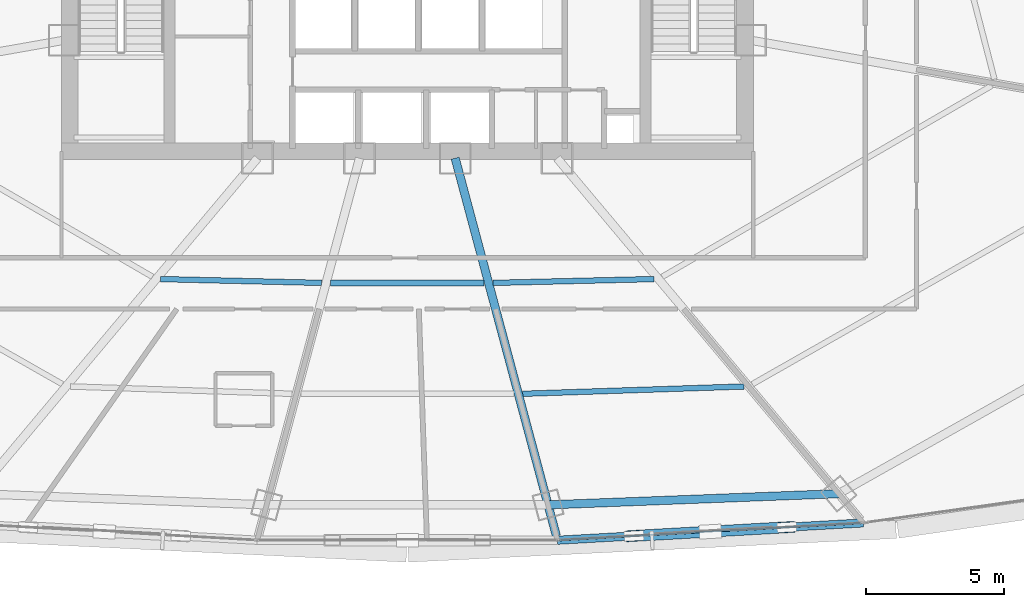
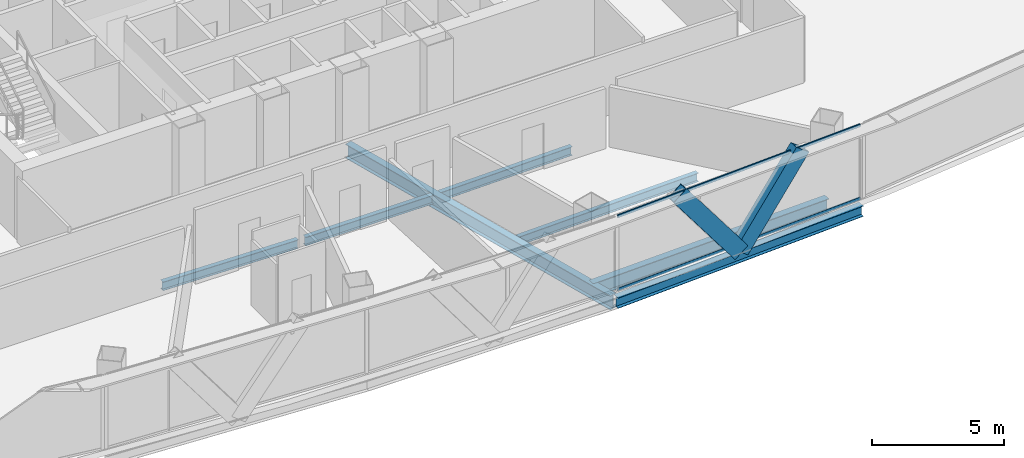
# One storey, part 13 of 42: 7 beams, 4 members, 1 element without a shape of its own.
"""IFC4 building model written with IfcOpenShell, lengths in metres."""

from ifc_helpers import new_model, si_unit, direction, frame, origin, origin_2d, place, context, subcontext, project, spatial, hollow_rectangle, i_section, extrude, source, transform, mapped, material, layer, layer_set, material_profile, profile_set, type_object, element, aggregate, save


model = new_model("IFC4")

# Units and contexts
model_context = context("Model", 3, precision=1e-05, world=origin(), true_north=direction((0.0, 1.0)))
body_context = subcontext(model_context, "Body", "Model", "MODEL_VIEW")
ifc_project = project(units=[si_unit("LENGTHUNIT", "METRE"), si_unit("AREAUNIT", "SQUARE_METRE"), si_unit("VOLUMEUNIT", "CUBIC_METRE"), si_unit("PLANEANGLEUNIT", "RADIAN"), si_unit("MASSUNIT", "GRAM", prefix="KILO"), si_unit("THERMODYNAMICTEMPERATUREUNIT", "KELVIN"), si_unit("POWERUNIT", "WATT")], contexts=[model_context])

# Site, building, storey
site_placement = place(None, origin())
site = spatial("IfcSite", under=ifc_project, at=site_placement, CompositionType="ELEMENT")
building_placement = place(site_placement, origin())
building = spatial("IfcBuilding", under=site, at=building_placement, Name="Yunzhuo Pagoda Commons", CompositionType="ELEMENT")
storey_placement = place(building_placement, frame((0.0, 0.0, 151.909912109375)))
storey = spatial("IfcBuildingStorey", under=building, at=storey_placement, Name="L38", CompositionType="ELEMENT", Elevation=151.909912109375)

# Beams
ifc_material_1 = material(Name="Structural steel Q355B", Category="steel")
ifc_material_profile_1 = material_profile(ifc_material_1, i_section(OverallWidth=0.300048828125, OverallDepth=0.64990234375, WebThickness=0.012939453125, FlangeThickness=0.02197265625, at=origin_2d()), Name="Structural steel Q355B")
ifc_profile_set_1 = profile_set([ifc_material_profile_1], Name="Structural steel Q355B")
beam_type_1 = type_object("IfcBeamType", Name="B-RG2 Beam HN 650x300x13x22", PredefinedType="BEAM", material=ifc_profile_set_1)
shared_shape_1 = source(origin(), body_context, "Body", "SweptSolid", [
    extrude(i_section(OverallWidth=0.300048828125, OverallDepth=0.64990234375, WebThickness=0.012939453125, FlangeThickness=0.02197265625, at=origin_2d()), origin(), (0.0, 0.0, 1.0), 10.5078125),
])
beam_1_placement = place(storey_placement, frame((53.085205078125, 14.7216796875, -0.5849609375), z_axis=(0.999258632812, 0.03849915259, 0.0), x_axis=(-0.03849915259, 0.999258632812, 0.0)))
element("IfcBeam", 1, at=beam_1_placement, inside=storey, type_object=beam_type_1, Name="L38 column-ring beam 3", PredefinedType="BEAM", context=body_context, shape_type="MappedRepresentation", body=[
    mapped(shared_shape_1, transform((0.0, 0.0, 0.0), scale=1.0)),
])
ifc_material_profile_2 = material_profile(ifc_material_1, i_section(OverallWidth=0.199951171875, OverallDepth=0.39990234375, WebThickness=0.008056640625, FlangeThickness=0.012939453125, at=origin_2d()), Name="Structural steel Q355B")
ifc_profile_set_2 = profile_set([ifc_material_profile_2], Name="Structural steel Q355B")
beam_type_2 = type_object("IfcBeamType", Name="B-JS1 Joist HN 400x200x8x13", PredefinedType="JOIST", material=ifc_profile_set_2)
shared_shape_2 = source(origin(), body_context, "Body", "SweptSolid", [
    extrude(i_section(OverallWidth=0.199951171875, OverallDepth=0.39990234375, WebThickness=0.008056640625, FlangeThickness=0.012939453125, at=origin_2d()), origin(), (0.0, 0.0, 1.0), 5.821533203125),
])
for number, where, z_axis, x_axis, name in (
    (2, (39.08447265625, 22.881591796875, -0.4599609375), (0.999718239795, -0.023736912649, 0.0), (0.023736912649, 0.999718239795, 0.0), "L38 composite ring joist 1.1"),
    (3, (51.095703125, 22.743408203125, -0.4599609375), (0.999718239795, 0.023736912649, 0.0), (-0.023736912649, 0.999718239795, 0.0), "L38 composite ring joist 1.3"),
):
    element("IfcBeam", number, at=place(storey_placement, frame(where, z_axis=z_axis, x_axis=x_axis)), inside=storey, type_object=beam_type_2, Name=name, PredefinedType="JOIST", context=body_context, shape_type="MappedRepresentation", body=[
        mapped(shared_shape_2, transform((0.0, 0.0, 0.0), scale=1.0)),
    ])
shared_shape_3 = source(origin(), body_context, "Body", "SweptSolid", [
    extrude(i_section(OverallWidth=0.199951171875, OverallDepth=0.39990234375, WebThickness=0.008056640625, FlangeThickness=0.012939453125, at=origin_2d()), origin(), (0.0, 0.0, 1.0), 8.00537109375),
])
beam_2_placement = place(storey_placement, frame((52.169921875, 18.73583984375, -0.4599609375), z_axis=(0.999453403952, 0.033058937199, 0.0), x_axis=(-0.033058937199, 0.999453403952, 0.0)))
element("IfcBeam", 4, at=beam_2_placement, inside=storey, type_object=beam_type_2, Name="L38 composite ring joist 2.3", PredefinedType="JOIST", context=body_context, shape_type="MappedRepresentation", body=[
    mapped(shared_shape_3, transform((0.0, 0.0, 0.0), scale=1.0)),
])
shared_shape_4 = source(origin(), body_context, "Body", "SweptSolid", [
    extrude(i_section(OverallWidth=0.199951171875, OverallDepth=0.39990234375, WebThickness=0.008056640625, FlangeThickness=0.012939453125, at=origin_2d()), origin(), (0.0, 0.0, 1.0), 5.5556640625),
])
beam_3_placement = place(storey_placement, frame((45.22216796875, 22.73974609375, -0.4599609375), z_axis=(1.0, 0.0, 0.0), x_axis=(0.0, 1.0, 0.0)))
element("IfcBeam", 5, at=beam_3_placement, inside=storey, type_object=beam_type_2, Name="L38 composite ring joist 1.2", PredefinedType="JOIST", context=body_context, shape_type="MappedRepresentation", body=[
    mapped(shared_shape_4, transform((0.0, 0.0, 0.0), scale=1.0)),
])
shared_shape_5 = source(origin(), body_context, "Body", "SweptSolid", [
    extrude(i_section(OverallWidth=0.300048828125, OverallDepth=0.64990234375, WebThickness=0.012939453125, FlangeThickness=0.02197265625, at=origin_2d()), origin(), (0.0, 0.0, 1.0), 14.137939453125),
])
beam_4_placement = place(storey_placement, frame((53.387451171875, 13.59375, -0.5849609375), z_axis=(-0.258802836228, 0.965930169298, 0.0), x_axis=(-0.965930169298, -0.258802836228, 0.0)))
element("IfcBeam", 6, at=beam_4_placement, inside=storey, type_object=beam_type_1, Name="L38 radial floor girder F1C3", PredefinedType="BEAM", context=body_context, shape_type="MappedRepresentation", body=[
    mapped(shared_shape_5, transform((0.0, 0.0, 0.0), scale=1.0)),
])
ifc_material_profile_3 = material_profile(ifc_material_1, i_section(OverallWidth=0.300048828125, OverallDepth=0.488037109375, WebThickness=0.010986328125, FlangeThickness=0.01806640625, at=origin_2d()), Name="Structural steel Q355B")
ifc_profile_set_3 = profile_set([ifc_material_profile_3], Name="Structural steel Q355B")
beam_type_3 = type_object("IfcBeamType", Name="B-SP1 Beam HM 488x300x11x18", PredefinedType="BEAM", material=ifc_profile_set_3)
shared_shape_6 = source(origin(), body_context, "Body", "SweptSolid", [
    extrude(i_section(OverallWidth=0.300048828125, OverallDepth=0.488037109375, WebThickness=0.010986328125, FlangeThickness=0.01806640625, at=origin_2d()), origin(), (0.0, 0.0, 1.0), 11.06298828125),
])
beam_5_placement = place(storey_placement, frame((53.427490234375, 13.44384765625, -0.50390625), z_axis=(0.998402926244, 0.056494219778, 0.0), x_axis=(-0.056494219778, 0.998402926244, 0.0)))
element("IfcBeam", 7, at=beam_5_placement, inside=storey, type_object=beam_type_3, Name="L38 facade edge spandrel beam F1.3", PredefinedType="BEAM", context=body_context, shape_type="MappedRepresentation", body=[
    mapped(shared_shape_6, transform((0.0, 0.0, 0.0), scale=1.0)),
])

# Members
ifc_material_profile_4 = material_profile(ifc_material_1, hollow_rectangle(XDim=0.39990234375, YDim=0.719970703125, WallThickness=0.02392578125, at=origin_2d()), Name="Structural steel Q355B")
ifc_profile_set_4 = profile_set([ifc_material_profile_4], Name="Structural steel Q355B")
member_type_1 = type_object("IfcMemberType", Name="M-DL2 Brace BOX 720x400x24", PredefinedType="BRACE", material=ifc_profile_set_4)
shared_shape_7 = source(origin(), body_context, "Body", "SweptSolid", [
    extrude(hollow_rectangle(XDim=0.39990234375, YDim=0.719970703125, WallThickness=0.02392578125, at=origin_2d()), origin(), (0.0, 0.0, 1.0), 4.603515625),
])
for number, where, z_axis, x_axis, name in (
    (8, (58.9501953125, 13.75634765625, -0.260009765625), (-0.599807021214, -0.033941334534, 0.799424494941), (0.05649670934, -0.99840278537, 0.0), "L38 facade diamond brace F1.3L"),
    (9, (58.9501953125, 13.75634765625, -0.260009765625), (0.599807021214, 0.033941334534, 0.799424494941), (-0.05649670934, 0.99840278537, 0.0), "L38 facade diamond brace F1.3R"),
):
    element("IfcMember", number, at=place(storey_placement, frame(where, z_axis=z_axis, x_axis=x_axis)), inside=storey, type_object=member_type_1, Name=name, PredefinedType="BRACE", context=body_context, shape_type="MappedRepresentation", body=[
        mapped(shared_shape_7, transform((0.0, 0.0, 0.0), scale=1.0)),
    ])

# Curtain wall, members
ifc_material_2 = material(Name="Anodized aluminium 6063-T6", Category="aluminium")
ifc_layer = layer(ifc_material_2, 0.14990234375)
ifc_layer_set = layer_set([ifc_layer], Name="Anodized aluminium 6063-T6")
curtain_wall_type = type_object("IfcCurtainWallType", Name="CW-MID Mid-Zone Ribbon Curtain Wall", PredefinedType="NOTDEFINED", material=ifc_layer_set)
curtain_wall_placement = place(storey_placement, origin())
curtain_wall = element("IfcCurtainWall", 10, at=curtain_wall_placement, inside=storey, type_object=curtain_wall_type, Name="L38 curtain wall CW-L38-F1B4", PredefinedType="NOTDEFINED")
ifc_material_profile_5 = material_profile(ifc_material_2, hollow_rectangle(XDim=0.054931640625, YDim=0.1298828125, WallThickness=0.00341796875, at=origin_2d()), Name="Anodized aluminium 6063-T6")
ifc_profile_set_5 = profile_set([ifc_material_profile_5], Name="Anodized aluminium 6063-T6")
member_type_2 = type_object("IfcMemberType", Name="CW-MID-T Transom RHS 130x55x3.5", PredefinedType="USERDEFINED", material=ifc_profile_set_5)
shared_shape_8 = source(origin(), body_context, "Body", "SweptSolid", [
    extrude(hollow_rectangle(XDim=0.054931640625, YDim=0.1298828125, WallThickness=0.00341796875, at=origin_2d()), origin(), (0.0, 0.0, 1.0), 10.94287109375),
])
member_1_placement = place(storey_placement, frame((53.487548828125, 13.447265625, 0.027587890625), z_axis=(0.998403128064, 0.056490652967, 0.0), x_axis=(-0.056490652967, 0.998403128064, 0.0)))
member_1 = element("IfcMember", 11, at=member_1_placement, type_object=member_type_2, Name="CW transom 1.1", ObjectType="TRANSOM", PredefinedType="USERDEFINED", context=body_context, shape_type="MappedRepresentation", body=[
    mapped(shared_shape_8, transform((0.0, 0.0, 0.0), scale=1.0)),
])
member_2_placement = place(storey_placement, frame((53.487548828125, 13.447265625, 3.392578125), z_axis=(0.998403128064, 0.056490652967, 0.0), x_axis=(-0.056490652967, 0.998403128064, 0.0)))
member_2 = element("IfcMember", 12, at=member_2_placement, type_object=member_type_2, Name="CW transom 1.2", ObjectType="TRANSOM", PredefinedType="USERDEFINED", context=body_context, shape_type="MappedRepresentation", body=[
    mapped(shared_shape_8, transform((0.0, 0.0, 0.0), scale=1.0)),
])
aggregate(curtain_wall, [member_1, member_2])

save(model, "model.ifc")
